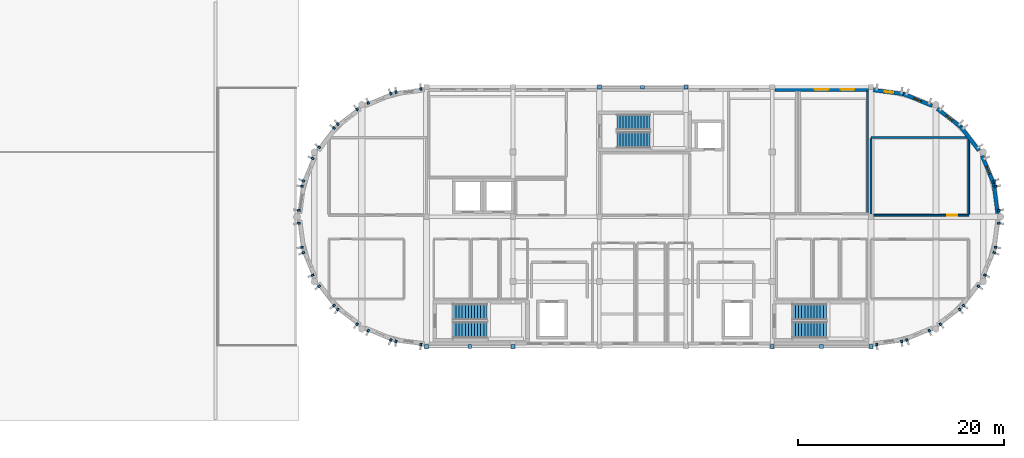
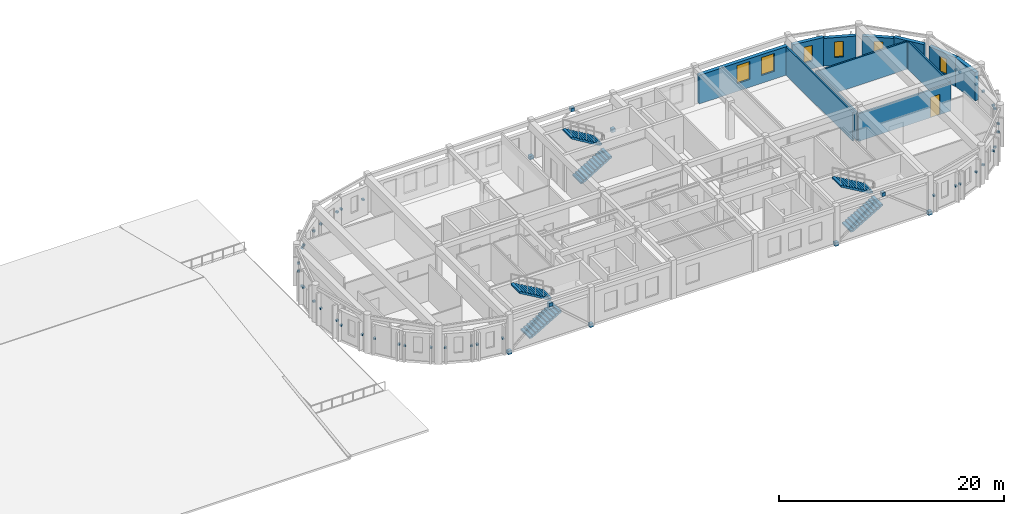
# One storey, part 7 of 12: 48 discrete accessories, 12 walls, 6 stair flights, 6 windows, 1 door, 7 openings, 3 elements without a shape of their own.
"""IFC4 building model written with IfcOpenShell, lengths in metres."""

import ifcopenshell
import ifcopenshell.guid

model = None  # the IFC model being written
_history = None  # IfcOwnerHistory: only IFC2X3 demands one
_inside = {}  # id of a spatial element -> (the spatial element, [elements in it])
_under = {}  # id of a project, library or spatial element -> (it, [spatial elements below it])
_declared = {}  # id of a project -> (the project, [libraries it declares])
_typed = {}  # id of a type object -> (the type object, [elements of that type])
_made_of = {}  # id of a material, layer set ... -> (it, [elements and type objects made of it])


def new_model(schema):
    """Start an empty IFC model of exactly this schema.

    Asked for "IFC4X3", IfcOpenShell would pick the latest addendum, in which some entities
    have other attributes; the version numbers below select the first issue.
    IFC2X3 requires an IfcOwnerHistory on every rooted entity: one is made here for all.
    """
    global model, _history
    if schema == "IFC4X3":
        model = ifcopenshell.file(schema_version=(4, 3, 0, 0))
    else:
        model = ifcopenshell.file(schema=schema)
    _inside.clear()
    _under.clear()
    _declared.clear()
    _typed.clear()
    _made_of.clear()
    _history = None
    if model.schema == "IFC2X3":
        org = make("IfcOrganization", Name="unknown")
        user = make(
            "IfcPersonAndOrganization",
            ThePerson=make("IfcPerson", FamilyName="unknown"),
            TheOrganization=org,
        )
        app = make(
            "IfcApplication",
            ApplicationDeveloper=org,
            Version="unknown",
            ApplicationFullName="unknown",
            ApplicationIdentifier="unknown",
        )
        _history = make(
            "IfcOwnerHistory",
            OwningUser=user,
            OwningApplication=app,
            ChangeAction="ADDED",
            CreationDate=0,
        )
    return model


def make(cls, **values):
    """One entity of the class cls with the attributes given. An attribute that is None is left unset."""
    return model.create_entity(
        cls, **{name: value for name, value in values.items() if value is not None}
    )


def rooted(cls, **values):
    """An entity with a GlobalId (a new one), such as an element, a storey or a relation."""
    return make(cls, GlobalId=ifcopenshell.guid.new(), OwnerHistory=_history, **values)


def si_unit(unit_type, name, prefix=None):
    """IfcSIUnit, for example si_unit("LENGTHUNIT", "METRE", prefix="MILLI")."""
    return make("IfcSIUnit", UnitType=unit_type, Prefix=prefix, Name=name)


def assignment(units):
    """IfcUnitAssignment: the units of a project."""
    return None if units is None else make("IfcUnitAssignment", Units=units)


def point(xyz):
    """IfcCartesianPoint."""
    return None if xyz is None else make("IfcCartesianPoint", Coordinates=xyz)


def direction(xyz):
    """IfcDirection."""
    return None if xyz is None else make("IfcDirection", DirectionRatios=xyz)


def frame(location, z_axis=None, x_axis=None):
    """IfcAxis2Placement3D, a coordinate frame: its origin and axes. An axis left out is left unset."""
    return make(
        "IfcAxis2Placement3D",
        Location=point(location),
        Axis=direction(z_axis),
        RefDirection=direction(x_axis),
    )


def frame_2d(location, x_axis=None):
    """IfcAxis2Placement2D, a coordinate frame in the plane: its origin and x axis."""
    return make(
        "IfcAxis2Placement2D", Location=point(location), RefDirection=direction(x_axis)
    )


def origin():
    """The frame at (0, 0, 0) with its axes left unset."""
    return frame((0.0, 0.0, 0.0))


def origin_2d():
    """The frame at (0, 0) in the plane with its x axis left unset."""
    return frame_2d((0.0, 0.0))


def place(relative_to, where):
    """IfcLocalPlacement: puts the frame where relative to a parent placement (None: the world)."""
    return make(
        "IfcLocalPlacement", PlacementRelTo=relative_to, RelativePlacement=where
    )


def context(
    kind, dimensions, precision=None, world=None, true_north=None, identifier=None
):
    """IfcGeometricRepresentationContext, for example the 3D "Model" context."""
    return make(
        "IfcGeometricRepresentationContext",
        ContextIdentifier=identifier,
        ContextType=kind,
        CoordinateSpaceDimension=dimensions,
        Precision=precision,
        WorldCoordinateSystem=world,
        TrueNorth=true_north,
    )


def subcontext(parent, identifier, kind, view, scale=None):
    """IfcGeometricRepresentationSubContext, for example "Body" below "Model"."""
    return make(
        "IfcGeometricRepresentationSubContext",
        ContextIdentifier=identifier,
        ContextType=kind,
        ParentContext=parent,
        TargetScale=scale,
        TargetView=view,
    )


def project(units=None, contexts=None):
    """IfcProject with its units and contexts."""
    return rooted(
        "IfcProject",
        Name="project",
        RepresentationContexts=contexts,
        UnitsInContext=assignment(units),
    )


def spatial(cls, under=None, at=None, **own):
    """A site, building, storey or space (cls), placed at a placement, below another one or the project."""
    s = rooted(cls, ObjectPlacement=at, **own)
    if under is not None:
        _under.setdefault(under.id(), (under, []))[1].append(s)
    return s


def polyline(points):
    """IfcPolyline through the points."""
    return make("IfcPolyline", Points=[point(p) for p in points])


def profile(cls, at=None, kind="AREA", **sizes):
    """A parametric profile (cls). Its sizes go by their IFC names, for example OverallWidth=200.0."""
    return make(cls, ProfileType=kind, Position=at, **sizes)


def rectangle(**sizes):
    """IfcRectangleProfileDef."""
    return profile("IfcRectangleProfileDef", **sizes)


def outline(outer, holes=None, kind="AREA"):
    """IfcArbitraryClosedProfileDef: a profile drawn as a closed curve; with holes, ...WithVoids."""
    if holes is None:
        return make("IfcArbitraryClosedProfileDef", ProfileType=kind, OuterCurve=outer)
    return make(
        "IfcArbitraryProfileDefWithVoids",
        ProfileType=kind,
        OuterCurve=outer,
        InnerCurves=holes,
    )


def extrude(swept, where, along, depth):
    """IfcExtrudedAreaSolid: the profile swept, set in the frame where, extruded along a direction by depth."""
    return make(
        "IfcExtrudedAreaSolid",
        SweptArea=swept,
        Position=where,
        ExtrudedDirection=direction(along),
        Depth=depth,
    )


def shape(context_of_items, identifier, shape_type, items):
    """IfcShapeRepresentation: the items that make up one representation, for example the "Body"."""
    return make(
        "IfcShapeRepresentation",
        ContextOfItems=context_of_items,
        RepresentationIdentifier=identifier,
        RepresentationType=shape_type,
        Items=items,
    )


def material(Name=None, Category=None):
    """IfcMaterial."""
    return make("IfcMaterial", Name=Name, Category=Category)


def layer(
    of_material, thickness, ventilated=None, Name=None, Category=None, Priority=None
):
    """IfcMaterialLayer: one layer of a wall or slab, of a material (None: an air gap)."""
    return make(
        "IfcMaterialLayer",
        Material=of_material,
        LayerThickness=thickness,
        IsVentilated=ventilated,
        Name=Name,
        Category=Category,
        Priority=Priority,
    )


def layer_set(layers, Name=None):
    """IfcMaterialLayerSet."""
    return make("IfcMaterialLayerSet", MaterialLayers=layers, LayerSetName=Name)


def made_of(thing, what):
    """Note that an element or type object is made of a material, layer set ...; save() writes the relation."""
    if what is not None:
        _made_of.setdefault(what.id(), (what, []))[1].append(thing)
    return thing


def type_object(cls, material=None, **own):
    """A type object (cls), such as IfcWallType, which elements share."""
    return made_of(rooted(cls, **own), material)


def element(
    cls,
    number,
    at=None,
    inside=None,
    cuts=None,
    type_object=None,
    material=None,
    context=None,
    identifier="Body",
    shape_type=None,
    held_by="IfcProductDefinitionShape",
    body=None,
    shapes=None,
    **own,
):
    """One element of the class cls, such as IfcWall. Its Tag is "e" and its number.

    at: its placement. inside: the storey or other place that contains it. cuts: it is an
    opening in that element (IfcRelVoidsElement). A single representation is given by context,
    identifier, shape_type and body (its items); several are given by shapes. held_by: the class
    of the entity that holds the representations. save() writes the other relations.
    """
    e = rooted(cls, Tag="e%d" % number, ObjectPlacement=at, **own)
    if body is not None:
        shapes = [shape(context, identifier, shape_type, body)]
    if shapes is not None:
        e.Representation = make(held_by, Representations=shapes)
    if inside is not None:
        _inside.setdefault(inside.id(), (inside, []))[1].append(e)
    if cuts is not None:
        rooted(
            "IfcRelVoidsElement", RelatingBuildingElement=cuts, RelatedOpeningElement=e
        )
    if type_object is not None:
        _typed.setdefault(type_object.id(), (type_object, []))[1].append(e)
    return made_of(e, material)


def fill(opening, filler):
    """IfcRelFillsElement: the door or window that sits in an opening."""
    return rooted(
        "IfcRelFillsElement",
        RelatingOpeningElement=opening,
        RelatedBuildingElement=filler,
    )


def aggregate(whole, parts):
    """IfcRelAggregates: a whole, such as a stair, and the parts it consists of."""
    return rooted("IfcRelAggregates", RelatingObject=whole, RelatedObjects=parts)


def save(model, path):
    """Write the relations noted so far, then the file.

    IfcRelAggregates (storeys below a building ...), IfcRelContainedInSpatialStructure (elements
    in a storey), IfcRelDefinesByType, IfcRelAssociatesMaterial and IfcRelDeclares: one each for
    every whole, place, type object, material and project.
    """
    for whole, parts in _under.values():
        aggregate(whole, parts)
    for where, things in _inside.values():
        rooted(
            "IfcRelContainedInSpatialStructure",
            RelatedElements=things,
            RelatingStructure=where,
        )
    for kind, things in _typed.values():
        rooted("IfcRelDefinesByType", RelatedObjects=things, RelatingType=kind)
    for what, things in _made_of.values():
        rooted("IfcRelAssociatesMaterial", RelatedObjects=things, RelatingMaterial=what)
    for by, libraries in _declared.values():
        rooted("IfcRelDeclares", RelatingContext=by, RelatedDefinitions=libraries)
    model.write(path)


model = new_model("IFC4")

# Units and contexts
model_context = context("Model", 3, precision=1e-05, world=origin(), true_north=direction((0.0, 1.0)))
body_context = subcontext(model_context, "Body", "Model", "MODEL_VIEW")
ifc_project = project(units=[si_unit("LENGTHUNIT", "METRE"), si_unit("AREAUNIT", "SQUARE_METRE"), si_unit("VOLUMEUNIT", "CUBIC_METRE"), si_unit("PLANEANGLEUNIT", "RADIAN"), si_unit("MASSUNIT", "GRAM", prefix="KILO")], contexts=[model_context])

# Site, building, storey
site_placement = place(None, origin())
site = spatial("IfcSite", under=ifc_project, at=site_placement, CompositionType="ELEMENT")
building_placement = place(site_placement, origin())
building = spatial("IfcBuilding", under=site, at=building_placement, Name="Tarnavel Promenade Courthouse", CompositionType="ELEMENT")
storey_placement = place(building_placement, frame((0.0, 0.0, 27.0)))
storey = spatial("IfcBuildingStorey", under=building, at=storey_placement, Name="L07", CompositionType="ELEMENT", Elevation=27.0)

# Walls
ifc_material_1 = material(Name="Acoustic Insulated Gypsum Stud Partition", Category="gypsum")
ifc_layer_1 = layer(ifc_material_1, 0.1650390625)
ifc_layer_set_1 = layer_set([ifc_layer_1], Name="Acoustic Insulated Gypsum Stud Partition")
wall_type_1 = type_object("IfcWallType", Name="Acoustic Insulated Gypsum Stud Partition WL-CHM-165 (165 mm)", PredefinedType="PARTITIONING", material=ifc_layer_set_1)
wall_1_placement = place(storey_placement, frame((101.659912109375, 103.99609375, 0.0), z_axis=(0.0, 0.0, 1.0), x_axis=(0.0, -1.0, 0.0)))
element("IfcWall", 1, at=wall_1_placement, inside=storey, type_object=wall_type_1, Name="L07 Appellate Judges' Chambers L07 Suite C Partition 0888", PredefinedType="PARTITIONING", context=body_context, shape_type="SweptSolid", body=[
    extrude(rectangle(XDim=11.8134765625, YDim=0.1650390625, at=frame_2d((5.90673828125, 0.0))), origin(), (0.0, 0.0, 1.0), 3.110107421875),
])
wall_2_placement = place(storey_placement, frame((102.0, 99.5, 0.0), z_axis=(0.0, 0.0, 1.0), x_axis=(1.0, 0.0, 0.0)))
element("IfcWall", 2, at=wall_2_placement, inside=storey, type_object=wall_type_1, Name="L07 L07 East Drum Rotunda Chambers North Partition 0906", PredefinedType="PARTITIONING", context=body_context, shape_type="SweptSolid", body=[
    extrude(rectangle(XDim=9.5, YDim=0.1650390625, at=frame_2d((4.75, 0.0))), origin(), (0.0, 0.0, 1.0), 3.010009765625),
])

# Wall, opening, door
wall_3_placement = place(storey_placement, frame((111.5, 91.949951171875, 0.0), z_axis=(0.0, 0.0, 1.0), x_axis=(-1.0, 0.0, 0.0)))
wall_3 = element("IfcWall", 3, at=wall_3_placement, inside=storey, type_object=wall_type_1, Name="L07 L07 East Drum Rotunda Chambers North Partition 0907", PredefinedType="PARTITIONING", context=body_context, shape_type="SweptSolid", body=[
    extrude(rectangle(XDim=9.5, YDim=0.1650390625, at=frame_2d((4.75, 0.0))), origin(), (0.0, 0.0, 1.0), 3.010009765625),
])
opening_1_placement = place(wall_3_placement, frame((1.132080078125, 0.0, 0.0)))
opening_1 = element("IfcOpeningElement", 4, at=opening_1_placement, cuts=wall_3, Name="Opening ID-04", PredefinedType="OPENING", context=body_context, shape_type="SweptSolid", body=[
    extrude(rectangle(XDim=0.97998046875, YDim=2.199951171875, at=frame_2d((0.489990234375, 1.10009765625))), frame((0.0, 0.092529296875, 0.0), z_axis=(0.0, -1.0, 0.0), x_axis=(1.0, 0.0, 0.0)), (0.0, 0.0, 1.0), 0.18505859375),
])
ifc_material_2 = material(Name="Solid Oak Judges Chambers Door")
door_type = type_object("IfcDoorType", Name="Solid Oak Judges Chambers Door (DR-CHM-0980x2200)", OperationType="NOTDEFINED", PredefinedType="DOOR", material=ifc_material_2)
door_placement = place(opening_1_placement, origin())
door = element("IfcDoor", 5, at=door_placement, inside=storey, type_object=door_type, Name="L07 L07 East Drum Rotunda Chambers North Door 0259", OperationType="SINGLE_SWING_RIGHT", OverallHeight=2.199951171875, OverallWidth=0.97998046875, PredefinedType="DOOR", context=body_context, shape_type="SweptSolid", body=[
    extrude(rectangle(XDim=0.97998046875, YDim=2.199951171875, at=frame_2d((0.489990234375, 1.10009765625))), frame((0.0, 0.02490234375, 0.0), z_axis=(0.0, -1.0, 0.0), x_axis=(1.0, 0.0, 0.0)), (0.0, 0.0, 1.0), 0.050048828125),
])
fill(opening_1, door)

# Walls
for number, where, z_axis, x_axis, name in (
    (6, (102.0, 92.04248046875, 0.0), (0.0, 0.0, 1.0), (0.0, 1.0, 0.0), "L07 L07 East Drum Rotunda Chambers North Partition 0908"),
    (7, (111.5, 99.407470703125, 0.0), (0.0, 0.0, 1.0), (0.0, -1.0, 0.0), "L07 L07 East Drum Rotunda Chambers North Partition 0909"),
):
    element("IfcWall", number, at=place(storey_placement, frame(where, z_axis=z_axis, x_axis=x_axis)), inside=storey, type_object=wall_type_1, Name=name, PredefinedType="PARTITIONING", context=body_context, shape_type="SweptSolid", body=[
        extrude(rectangle(XDim=7.364990234375, YDim=0.1650390625, at=frame_2d((3.6826171875, 0.0))), origin(), (0.0, 0.0, 1.0), 3.110107421875),
    ])

# Wall, openings, windows
ifc_material_3 = material(Name="Cream Brick Insulated Cavity Facade Assembly", Category="masonry")
ifc_layer_2 = layer(ifc_material_3, 0.3798828125)
ifc_layer_set_2 = layer_set([ifc_layer_2], Name="Cream Brick Insulated Cavity Facade Assembly")
wall_type_2 = type_object("IfcWallType", Name="Cream Brick Insulated Cavity Facade Assembly WL-EXT-380 (380 mm)", PredefinedType="STANDARD", material=ifc_layer_set_2)
wall_4_placement = place(storey_placement, frame((92.64208984375, 104.179931640625, 0.0), z_axis=(0.0, 0.0, 1.0), x_axis=(1.0, 0.0, 0.0)))
wall_4 = element("IfcWall", 8, at=wall_4_placement, inside=storey, type_object=wall_type_2, Name="L07 Bar North Limestone Facade 0174", PredefinedType="STANDARD", context=body_context, shape_type="SweptSolid", body=[
    extrude(rectangle(XDim=9.115966796875, YDim=0.3798828125, at=frame_2d((4.55810546875, 0.0))), origin(), (0.0, 0.0, 1.0), 3.110107421875),
])
opening_2_placement = place(wall_4_placement, frame((3.883056640625, 0.0, 0.85009765625)))
opening_2 = element("IfcOpeningElement", 9, at=opening_2_placement, cuts=wall_4, Name="Opening W-04", PredefinedType="OPENING", context=body_context, shape_type="SweptSolid", body=[
    extrude(rectangle(XDim=1.35009765625, YDim=1.949951171875, at=frame_2d((0.675048828125, 0.97509765625))), frame((0.0, 0.199951171875, 0.0), z_axis=(0.0, -1.0, 0.0), x_axis=(1.0, 0.0, 0.0)), (0.0, 0.0, 1.0), 0.39990234375),
])
opening_3_placement = place(wall_4_placement, frame((6.396240234375, 0.0, 0.85009765625)))
opening_3 = element("IfcOpeningElement", 10, at=opening_3_placement, cuts=wall_4, Name="Opening W-04", PredefinedType="OPENING", context=body_context, shape_type="SweptSolid", body=[
    extrude(rectangle(XDim=1.35009765625, YDim=1.949951171875, at=frame_2d((0.675048828125, 0.97509765625))), frame((0.0, 0.199951171875, 0.0), z_axis=(0.0, -1.0, 0.0), x_axis=(1.0, 0.0, 0.0)), (0.0, 0.0, 1.0), 0.39990234375),
])
ifc_material_4 = material(Name="Triple Low-E Glazed Bronze-Clad Window Assembly")
window_type_1 = type_object("IfcWindowType", Name="Triple-Glazed Bronze-Clad Timber-Aluminium WIN-CHM-1350x1950", PartitioningType="SINGLE_PANEL", PredefinedType="WINDOW", material=ifc_material_4)
window_1_placement = place(opening_2_placement, origin())
window_1 = element("IfcWindow", 11, at=window_1_placement, inside=storey, type_object=window_type_1, Name="L07 Exterior Window 0141", OverallHeight=1.949951171875, OverallWidth=1.35009765625, PartitioningType="SINGLE_PANEL", PredefinedType="WINDOW", context=body_context, shape_type="SweptSolid", body=[
    extrude(rectangle(XDim=1.35009765625, YDim=1.949951171875, at=frame_2d((0.675048828125, 0.97509765625))), frame((0.0, 0.030029296875, 0.0), z_axis=(0.0, -1.0, 0.0), x_axis=(1.0, 0.0, 0.0)), (0.0, 0.0, 1.0), 0.06005859375),
])
fill(opening_2, window_1)
window_2_placement = place(opening_3_placement, origin())
window_2 = element("IfcWindow", 12, at=window_2_placement, inside=storey, type_object=window_type_1, Name="L07 Exterior Window 0142", OverallHeight=1.949951171875, OverallWidth=1.35009765625, PartitioningType="SINGLE_PANEL", PredefinedType="WINDOW", context=body_context, shape_type="SweptSolid", body=[
    extrude(rectangle(XDim=1.35009765625, YDim=1.949951171875, at=frame_2d((0.675048828125, 0.97509765625))), frame((0.0, 0.030029296875, 0.0), z_axis=(0.0, -1.0, 0.0), x_axis=(1.0, 0.0, 0.0)), (0.0, 0.0, 1.0), 0.06005859375),
])
fill(opening_3, window_2)

# Wall
ifc_material_5 = material(Name="Patinated Copper-Bronze Insulated Drum Wall Assembly", Category="masonry")
ifc_layer_3 = layer(ifc_material_5, 0.364990234375)
ifc_layer_set_3 = layer_set([ifc_layer_3], Name="Patinated Copper-Bronze Insulated Drum Wall Assembly")
wall_type_3 = type_object("IfcWallType", Name="Patinated Copper-Bronze Insulated Drum Wall Assembly WL-DRUM-365 (365 mm)", PredefinedType="ELEMENTEDWALL", material=ifc_layer_set_3)
wall_5_placement = place(storey_placement, frame((114.304443359375, 92.129150390625, 0.0), z_axis=(0.0, 0.0, 1.0), x_axis=(-0.130484746162, 0.99145031697, 0.0)))
element("IfcWall", 13, at=wall_5_placement, inside=storey, type_object=wall_type_3, Name="L07 E Copper Drum Chord Wall 07 0198", PredefinedType="ELEMENTEDWALL", context=body_context, shape_type="SweptSolid", body=[
    extrude(rectangle(XDim=2.92431640625, YDim=0.364990234375, at=frame_2d((1.462158203125, 0.0))), origin(), (0.0, 0.0, 1.0), 3.110107421875),
])

# Wall, opening, window
wall_6_placement = place(storey_placement, frame((113.939697265625, 94.965576171875, 0.0), z_axis=(0.0, 0.0, 1.0), x_axis=(-0.382700732442, 0.923872366395, 0.0)))
wall_6 = element("IfcWall", 14, at=wall_6_placement, inside=storey, type_object=wall_type_3, Name="L07 E Copper Drum Chord Wall 08 0199", PredefinedType="ELEMENTEDWALL", context=body_context, shape_type="SweptSolid", body=[
    extrude(rectangle(XDim=3.00732421875, YDim=0.364990234375, at=frame_2d((1.503662109375, 0.0))), origin(), (0.0, 0.0, 1.0), 3.110107421875),
])
opening_4_placement = place(wall_6_placement, frame((1.06201171875, 0.0, 0.85009765625)))
opening_4 = element("IfcOpeningElement", 15, at=opening_4_placement, cuts=wall_6, Name="Opening W-09", PredefinedType="OPENING", context=body_context, shape_type="SweptSolid", body=[
    extrude(rectangle(XDim=0.800048828125, YDim=1.699951171875, at=frame_2d((0.39990234375, 0.85009765625))), frame((0.0, 0.1923828125, 0.0), z_axis=(0.0, -1.0, 0.0), x_axis=(1.0, 0.0, 0.0)), (0.0, 0.0, 1.0), 0.385009765625),
])
window_type_2 = type_object("IfcWindowType", Name="Triple-Glazed Bronze-Clad Timber-Aluminium WIN-DRM-0800x1700", PartitioningType="SINGLE_PANEL", PredefinedType="WINDOW", material=ifc_material_4)
window_3_placement = place(opening_4_placement, origin())
window_3 = element("IfcWindow", 16, at=window_3_placement, inside=storey, type_object=window_type_2, Name="L07 Exterior Window 0162", OverallHeight=1.699951171875, OverallWidth=0.800048828125, PartitioningType="SINGLE_PANEL", PredefinedType="WINDOW", context=body_context, shape_type="SweptSolid", body=[
    extrude(rectangle(XDim=0.800048828125, YDim=1.699951171875, at=frame_2d((0.39990234375, 0.85009765625))), frame((0.0, 0.030029296875, 0.0), z_axis=(0.0, -1.0, 0.0), x_axis=(1.0, 0.0, 0.0)), (0.0, 0.0, 1.0), 0.06005859375),
])
fill(opening_4, window_3)

# Wall
wall_7_placement = place(storey_placement, frame((112.491455078125, 98.2373046875, 0.0), z_axis=(0.0, 0.0, 1.0), x_axis=(-0.60876624393, 0.793349645649, 0.0)))
element("IfcWall", 17, at=wall_7_placement, inside=storey, type_object=wall_type_3, Name="L07 E Copper Drum Chord Wall 09 0200", PredefinedType="ELEMENTEDWALL", context=body_context, shape_type="SweptSolid", body=[
    extrude(rectangle(XDim=2.92431640625, YDim=0.364990234375, at=frame_2d((1.462158203125, 0.0))), origin(), (0.0, 0.0, 1.0), 3.110107421875),
])

# Wall, opening, window
wall_8_placement = place(storey_placement, frame((110.75732421875, 100.51123046875, 0.0), z_axis=(0.0, 0.0, 1.0), x_axis=(-0.793318703663, 0.608806565682, 0.0)))
wall_8 = element("IfcWall", 18, at=wall_8_placement, inside=storey, type_object=wall_type_3, Name="L07 E Copper Drum Chord Wall 10 0201", PredefinedType="ELEMENTEDWALL", context=body_context, shape_type="SweptSolid", body=[
    extrude(rectangle(XDim=2.92431640625, YDim=0.364990234375, at=frame_2d((1.462158203125, 0.0))), origin(), (0.0, 0.0, 1.0), 3.010009765625),
])
opening_5_placement = place(wall_8_placement, frame((1.06201171875, 0.0, 0.85009765625)))
opening_5 = element("IfcOpeningElement", 19, at=opening_5_placement, cuts=wall_8, Name="Opening W-09", PredefinedType="OPENING", context=body_context, shape_type="SweptSolid", body=[
    extrude(rectangle(XDim=0.800048828125, YDim=1.699951171875, at=frame_2d((0.39990234375, 0.85009765625))), frame((0.0, 0.1923828125, 0.0), z_axis=(0.0, -1.0, 0.0), x_axis=(1.0, 0.0, 0.0)), (0.0, 0.0, 1.0), 0.385009765625),
])
window_4_placement = place(opening_5_placement, origin())
window_4 = element("IfcWindow", 20, at=window_4_placement, inside=storey, type_object=window_type_2, Name="L07 Exterior Window 0163", OverallHeight=1.699951171875, OverallWidth=0.800048828125, PartitioningType="SINGLE_PANEL", PredefinedType="WINDOW", context=body_context, shape_type="SweptSolid", body=[
    extrude(rectangle(XDim=0.800048828125, YDim=1.699951171875, at=frame_2d((0.39990234375, 0.85009765625))), frame((0.0, 0.030029296875, 0.0), z_axis=(0.0, -1.0, 0.0), x_axis=(1.0, 0.0, 0.0)), (0.0, 0.0, 1.0), 0.06005859375),
])
fill(opening_5, window_4)

wall_9_placement = place(storey_placement, frame((107.94384765625, 102.5888671875, 0.0), z_axis=(0.0, 0.0, 1.0), x_axis=(-0.923872366395, 0.382700732442, 0.0)))
wall_9 = element("IfcWall", 21, at=wall_9_placement, inside=storey, type_object=wall_type_3, Name="L07 E Copper Drum Chord Wall 11 0202", PredefinedType="ELEMENTEDWALL", context=body_context, shape_type="SweptSolid", body=[
    extrude(rectangle(XDim=3.00732421875, YDim=0.364990234375, at=frame_2d((1.503662109375, 0.0))), origin(), (0.0, 0.0, 1.0), 3.010009765625),
])
opening_6_placement = place(wall_9_placement, frame((1.14501953125, 0.0, 0.85009765625)))
opening_6 = element("IfcOpeningElement", 22, at=opening_6_placement, cuts=wall_9, Name="Opening W-09", PredefinedType="OPENING", context=body_context, shape_type="SweptSolid", body=[
    extrude(rectangle(XDim=0.800048828125, YDim=1.699951171875, at=frame_2d((0.39990234375, 0.85009765625))), frame((0.0, 0.1923828125, 0.0), z_axis=(0.0, -1.0, 0.0), x_axis=(1.0, 0.0, 0.0)), (0.0, 0.0, 1.0), 0.385009765625),
])
window_5_placement = place(opening_6_placement, origin())
window_5 = element("IfcWindow", 23, at=window_5_placement, inside=storey, type_object=window_type_2, Name="L07 Exterior Window 0164", OverallHeight=1.699951171875, OverallWidth=0.800048828125, PartitioningType="SINGLE_PANEL", PredefinedType="WINDOW", context=body_context, shape_type="SweptSolid", body=[
    extrude(rectangle(XDim=0.800048828125, YDim=1.699951171875, at=frame_2d((0.39990234375, 0.85009765625))), frame((0.0, 0.030029296875, 0.0), z_axis=(0.0, -1.0, 0.0), x_axis=(1.0, 0.0, 0.0)), (0.0, 0.0, 1.0), 0.06005859375),
])
fill(opening_6, window_5)

wall_10_placement = place(storey_placement, frame((105.228515625, 103.722900390625, 0.0), z_axis=(0.0, 0.0, 1.0), x_axis=(-0.991450452257, 0.130483718216, 0.0)))
wall_10 = element("IfcWall", 24, at=wall_10_placement, inside=storey, type_object=wall_type_3, Name="L07 E Copper Drum Chord Wall 12 0203", PredefinedType="ELEMENTEDWALL", context=body_context, shape_type="SweptSolid", body=[
    extrude(rectangle(XDim=3.02734375, YDim=0.364990234375, at=frame_2d((1.513671875, 0.0))), origin(), (0.0, 0.0, 1.0), 3.110107421875),
])
opening_7_placement = place(wall_10_placement, frame((1.099609375, 0.0, 0.85009765625)))
opening_7 = element("IfcOpeningElement", 25, at=opening_7_placement, cuts=wall_10, Name="Opening W-09", PredefinedType="OPENING", context=body_context, shape_type="SweptSolid", body=[
    extrude(rectangle(XDim=0.800048828125, YDim=1.699951171875, at=frame_2d((0.39990234375, 0.85009765625))), frame((0.0, 0.1923828125, 0.0), z_axis=(0.0, -1.0, 0.0), x_axis=(1.0, 0.0, 0.0)), (0.0, 0.0, 1.0), 0.385009765625),
])
window_6_placement = place(opening_7_placement, origin())
window_6 = element("IfcWindow", 26, at=window_6_placement, inside=storey, type_object=window_type_2, Name="L07 Exterior Window 0165", OverallHeight=1.699951171875, OverallWidth=0.800048828125, PartitioningType="SINGLE_PANEL", PredefinedType="WINDOW", context=body_context, shape_type="SweptSolid", body=[
    extrude(rectangle(XDim=0.800048828125, YDim=1.699951171875, at=frame_2d((0.39990234375, 0.85009765625))), frame((0.0, 0.030029296875, 0.0), z_axis=(0.0, -1.0, 0.0), x_axis=(1.0, 0.0, 0.0)), (0.0, 0.0, 1.0), 0.06005859375),
])
fill(opening_7, window_6)

# Stair, stair flights
ifc_material_6 = material(Name="Concrete C35/45", Category="concrete")
stair_type_1 = type_object("IfcStairType", Name="Concrete C35/45 Half-Turn Stair STR-03 (1560W-300G-24R)", PredefinedType="HALF_TURN_STAIR", material=ifc_material_6)
stair_1_placement = place(storey_placement, origin())
stair_1 = element("IfcStair", 27, at=stair_1_placement, inside=storey, type_object=stair_type_1, Name="L07 West Bar Firefighting Exit Stair", PredefinedType="HALF_TURN_STAIR")
stair_flight_type_1 = type_object("IfcStairFlightType", Name="Concrete C35/45 Stair Flight STF-03 (1560W-300G-24R)", PredefinedType="STRAIGHT", material=ifc_material_6)
stair_flight_1_placement = place(storey_placement, frame((61.360107421875, 80.780029296875, 0.0), z_axis=(0.0, 0.0, 1.0), x_axis=(1.0, 0.0, 0.0)))
stair_flight_1 = element("IfcStairFlight", 28, at=stair_flight_1_placement, type_object=stair_flight_type_1, Name="ST-01 flight 1", NumberOfRisers=12, NumberOfTreads=11, PredefinedType="STRAIGHT", RiserHeight=0.175, TreadLength=0.3, context=body_context, shape_type="SweptSolid", body=[
    extrude(outline(polyline([(0.0, 0.0), (0.0, 0.175048828125), (0.300048828125, 0.175048828125), (0.300048828125, 0.35009765625), (0.60009765625, 0.35009765625), (0.60009765625, 0.52490234375), (0.89990234375, 0.52490234375), (0.89990234375, 0.699951171875), (1.199951171875, 0.699951171875), (1.199951171875, 0.875), (1.5, 0.875), (1.5, 1.050048828125), (1.800048828125, 1.050048828125), (1.800048828125, 1.22509765625), (2.10009765625, 1.22509765625), (2.10009765625, 1.39990234375), (2.39990234375, 1.39990234375), (2.39990234375, 1.574951171875), (2.699951171875, 1.574951171875), (2.699951171875, 1.75), (3.0, 1.75), (3.0, 1.925048828125), (3.300048828125, 1.925048828125), (3.300048828125, 2.10009765625), (3.300048828125, 1.75146484375), (0.297607421875, 0.0), (0.0, 0.0)])), frame((0.0, 0.780029296875, 0.0), z_axis=(0.0, -1.0, 0.0), x_axis=(1.0, 0.0, 0.0)), (0.0, 0.0, 1.0), 1.56005859375),
])
stair_flight_2_placement = place(storey_placement, frame((64.659912109375, 82.5400390625, 2.10009765625), z_axis=(0.0, 0.0, 1.0), x_axis=(-1.0, 0.0, 0.0)))
stair_flight_2 = element("IfcStairFlight", 29, at=stair_flight_2_placement, type_object=stair_flight_type_1, Name="ST-01 flight 2", NumberOfRisers=12, NumberOfTreads=11, PredefinedType="STRAIGHT", RiserHeight=0.175, TreadLength=0.3, context=body_context, shape_type="SweptSolid", body=[
    extrude(outline(polyline([(0.0, 0.0), (0.0, 0.175048828125), (0.300048828125, 0.175048828125), (0.300048828125, 0.35009765625), (0.60009765625, 0.35009765625), (0.60009765625, 0.52490234375), (0.89990234375, 0.52490234375), (0.89990234375, 0.699951171875), (1.199951171875, 0.699951171875), (1.199951171875, 0.875), (1.5, 0.875), (1.5, 1.050048828125), (1.800048828125, 1.050048828125), (1.800048828125, 1.22509765625), (2.10009765625, 1.22509765625), (2.10009765625, 1.39990234375), (2.39990234375, 1.39990234375), (2.39990234375, 1.574951171875), (2.699951171875, 1.574951171875), (2.699951171875, 1.75), (3.0, 1.75), (3.0, 1.925048828125), (3.300048828125, 1.925048828125), (3.300048828125, 2.10009765625), (3.300048828125, 1.75146484375), (0.297607421875, 0.0), (0.0, 0.0)])), frame((0.0, 0.780029296875, 0.0), z_axis=(0.0, -1.0, 0.0), x_axis=(1.0, 0.0, 0.0)), (0.0, 0.0, 1.0), 1.56005859375),
])
aggregate(stair_1, [stair_flight_1, stair_flight_2])

stair_2_placement = place(storey_placement, origin())
stair_2 = element("IfcStair", 30, at=stair_2_placement, inside=storey, type_object=stair_type_1, Name="L07 East Bar Firefighting Exit Stair", PredefinedType="HALF_TURN_STAIR")
stair_flight_3_placement = place(storey_placement, frame((94.360107421875, 80.780029296875, 0.0), z_axis=(0.0, 0.0, 1.0), x_axis=(1.0, 0.0, 0.0)))
stair_flight_3 = element("IfcStairFlight", 31, at=stair_flight_3_placement, type_object=stair_flight_type_1, Name="ST-02 flight 1", NumberOfRisers=12, NumberOfTreads=11, PredefinedType="STRAIGHT", RiserHeight=0.175, TreadLength=0.3, context=body_context, shape_type="SweptSolid", body=[
    extrude(outline(polyline([(0.0, 0.0), (0.0, 0.175048828125), (0.300048828125, 0.175048828125), (0.300048828125, 0.35009765625), (0.60009765625, 0.35009765625), (0.60009765625, 0.52490234375), (0.89990234375, 0.52490234375), (0.89990234375, 0.699951171875), (1.199951171875, 0.699951171875), (1.199951171875, 0.875), (1.5, 0.875), (1.5, 1.050048828125), (1.800048828125, 1.050048828125), (1.800048828125, 1.22509765625), (2.10009765625, 1.22509765625), (2.10009765625, 1.39990234375), (2.39990234375, 1.39990234375), (2.39990234375, 1.574951171875), (2.699951171875, 1.574951171875), (2.699951171875, 1.75), (3.0, 1.75), (3.0, 1.925048828125), (3.300048828125, 1.925048828125), (3.300048828125, 2.10009765625), (3.300048828125, 1.75146484375), (0.297607421875, 0.0), (0.0, 0.0)])), frame((0.0, 0.780029296875, 0.0), z_axis=(0.0, -1.0, 0.0), x_axis=(1.0, 0.0, 0.0)), (0.0, 0.0, 1.0), 1.56005859375),
])
stair_flight_4_placement = place(storey_placement, frame((97.659912109375, 82.5400390625, 2.10009765625), z_axis=(0.0, 0.0, 1.0), x_axis=(-1.0, 0.0, 0.0)))
stair_flight_4 = element("IfcStairFlight", 32, at=stair_flight_4_placement, type_object=stair_flight_type_1, Name="ST-02 flight 2", NumberOfRisers=12, NumberOfTreads=11, PredefinedType="STRAIGHT", RiserHeight=0.175, TreadLength=0.3, context=body_context, shape_type="SweptSolid", body=[
    extrude(outline(polyline([(0.0, 0.0), (0.0, 0.175048828125), (0.300048828125, 0.175048828125), (0.300048828125, 0.35009765625), (0.60009765625, 0.35009765625), (0.60009765625, 0.52490234375), (0.89990234375, 0.52490234375), (0.89990234375, 0.699951171875), (1.199951171875, 0.699951171875), (1.199951171875, 0.875), (1.5, 0.875), (1.5, 1.050048828125), (1.800048828125, 1.050048828125), (1.800048828125, 1.22509765625), (2.10009765625, 1.22509765625), (2.10009765625, 1.39990234375), (2.39990234375, 1.39990234375), (2.39990234375, 1.574951171875), (2.699951171875, 1.574951171875), (2.699951171875, 1.75), (3.0, 1.75), (3.0, 1.925048828125), (3.300048828125, 1.925048828125), (3.300048828125, 2.10009765625), (3.300048828125, 1.75146484375), (0.297607421875, 0.0), (0.0, 0.0)])), frame((0.0, 0.780029296875, 0.0), z_axis=(0.0, -1.0, 0.0), x_axis=(1.0, 0.0, 0.0)), (0.0, 0.0, 1.0), 1.56005859375),
])
aggregate(stair_2, [stair_flight_3, stair_flight_4])

stair_type_2 = type_object("IfcStairType", Name="Concrete C35/45 Half-Turn Stair STR-06 (1520W-290G-24R)", PredefinedType="HALF_TURN_STAIR", material=ifc_material_6)
stair_3_placement = place(storey_placement, origin())
stair_3 = element("IfcStair", 33, at=stair_3_placement, inside=storey, type_object=stair_type_2, Name="L07 Central Judicial Chambers Exit Stair", PredefinedType="HALF_TURN_STAIR")
stair_flight_type_2 = type_object("IfcStairFlightType", Name="Concrete C35/45 Stair Flight STF-06 (1520W-290G-24R)", PredefinedType="STRAIGHT", material=ifc_material_6)
stair_flight_5_placement = place(storey_placement, frame((77.320068359375, 99.260009765625, 0.0), z_axis=(0.0, 0.0, 1.0), x_axis=(1.0, 0.0, 0.0)))
stair_flight_5 = element("IfcStairFlight", 34, at=stair_flight_5_placement, type_object=stair_flight_type_2, Name="ST-03 flight 1", NumberOfRisers=12, NumberOfTreads=11, PredefinedType="STRAIGHT", RiserHeight=0.175, TreadLength=0.29, context=body_context, shape_type="SweptSolid", body=[
    extrude(outline(polyline([(0.0, 0.0), (0.0, 0.175048828125), (0.2900390625, 0.175048828125), (0.2900390625, 0.35009765625), (0.580078125, 0.35009765625), (0.580078125, 0.52490234375), (0.8701171875, 0.52490234375), (0.8701171875, 0.699951171875), (1.159912109375, 0.699951171875), (1.159912109375, 0.875), (1.449951171875, 0.875), (1.449951171875, 1.050048828125), (1.739990234375, 1.050048828125), (1.739990234375, 1.22509765625), (2.030029296875, 1.22509765625), (2.030029296875, 1.39990234375), (2.320068359375, 1.39990234375), (2.320068359375, 1.574951171875), (2.610107421875, 1.574951171875), (2.610107421875, 1.75), (2.89990234375, 1.75), (2.89990234375, 1.925048828125), (3.18994140625, 1.925048828125), (3.18994140625, 2.10009765625), (3.18994140625, 1.75), (0.2900390625, 0.0), (0.0, 0.0)])), frame((0.0, 0.760009765625, 0.0), z_axis=(0.0, -1.0, 0.0), x_axis=(1.0, 0.0, 0.0)), (0.0, 0.0, 1.0), 1.52001953125),
])
stair_flight_6_placement = place(storey_placement, frame((80.510009765625, 100.97998046875, 2.10009765625), z_axis=(0.0, 0.0, 1.0), x_axis=(-1.0, 0.0, 0.0)))
stair_flight_6 = element("IfcStairFlight", 35, at=stair_flight_6_placement, type_object=stair_flight_type_2, Name="ST-03 flight 2", NumberOfRisers=12, NumberOfTreads=11, PredefinedType="STRAIGHT", RiserHeight=0.175, TreadLength=0.29, context=body_context, shape_type="SweptSolid", body=[
    extrude(outline(polyline([(0.0, 0.0), (0.0, 0.175048828125), (0.2900390625, 0.175048828125), (0.2900390625, 0.35009765625), (0.580078125, 0.35009765625), (0.580078125, 0.52490234375), (0.8701171875, 0.52490234375), (0.8701171875, 0.699951171875), (1.159912109375, 0.699951171875), (1.159912109375, 0.875), (1.449951171875, 0.875), (1.449951171875, 1.050048828125), (1.739990234375, 1.050048828125), (1.739990234375, 1.22509765625), (2.030029296875, 1.22509765625), (2.030029296875, 1.39990234375), (2.320068359375, 1.39990234375), (2.320068359375, 1.574951171875), (2.610107421875, 1.574951171875), (2.610107421875, 1.75), (2.89990234375, 1.75), (2.89990234375, 1.925048828125), (3.18994140625, 1.925048828125), (3.18994140625, 2.10009765625), (3.18994140625, 1.75), (0.2900390625, 0.0), (0.0, 0.0)])), frame((0.0, 0.760009765625, 0.0), z_axis=(0.0, -1.0, 0.0), x_axis=(1.0, 0.0, 0.0)), (0.0, 0.0, 1.0), 1.52001953125),
])
aggregate(stair_3, [stair_flight_5, stair_flight_6])

# Discrete accessories
ifc_material_7 = material(Name="Steel S355J2", Category="steel")
discrete_accessory_type_1 = type_object("IfcDiscreteAccessoryType", Name="Steel S355J2 Facade Pier Anchor Bracket", PredefinedType="BRACKET", material=ifc_material_7)
for number, where, z_axis, x_axis, name in (
    (36, (58.247802734375, 104.2265625, 1.46484375), (0.0, 0.0, 1.0), (-0.991444861374, -0.13052619222, 0.0), "L07 Drum Pier Bracket 0223"),
    (37, (55.82958984375, 103.908203125, 1.46484375), (0.0, 0.0, 1.0), (-0.991444861374, -0.13052619222, 0.0), "L07 Drum Pier Bracket 0224"),
    (38, (55.318603515625, 103.77099609375, 1.4150390625), (0.0, 0.0, 1.0), (-0.923879532511, -0.382683432365, 0.0), "L07 Drum Pier Bracket 0225"),
    (39, (53.13427734375, 102.866455078125, 1.4150390625), (0.0, 0.0, 1.0), (-0.923879532511, -0.382683432365, 0.0), "L07 Drum Pier Bracket 0226"),
    (40, (52.04931640625, 102.239990234375, 1.4150390625), (0.0, 0.0, 1.0), (-0.793353340291, -0.608761429009, 0.0), "L07 Drum Pier Bracket 0227"),
    (41, (50.173583984375, 100.80078125, 1.4150390625), (0.0, 0.0, 1.0), (-0.793353340291, -0.608761429009, 0.0), "L07 Drum Pier Bracket 0228"),
    (42, (49.79931640625, 100.426513671875, 1.46484375), (0.0, 0.0, 1.0), (-0.608761429009, -0.793353340291, 0.0), "L07 Drum Pier Bracket 0229"),
    (43, (48.360107421875, 98.55078125, 1.46484375), (0.0, 0.0, 1.0), (-0.608761429009, -0.793353340291, 0.0), "L07 Drum Pier Bracket 0230"),
    (44, (47.733642578125, 97.4658203125, 1.46484375), (0.0, 0.0, 1.0), (-0.382683432365, -0.923879532511, 0.0), "L07 Drum Pier Bracket 0231"),
    (45, (46.828857421875, 95.281494140625, 1.46484375), (0.0, 0.0, 1.0), (-0.382683432365, -0.923879532511, 0.0), "L07 Drum Pier Bracket 0232"),
    (46, (46.69189453125, 94.7705078125, 1.71484375), (0.0, 0.0, 1.0), (-0.13052619222, -0.991444861374, 0.0), "L07 Drum Pier Bracket 0233"),
    (47, (46.38330078125, 92.426513671875, 1.71484375), (0.0, 0.0, 1.0), (-0.13052619222, -0.991444861374, 0.0), "L07 Drum Pier Bracket 0234"),
    (48, (46.38330078125, 91.173583984375, 1.71484375), (0.0, 0.0, 1.0), (0.13052619222, -0.991444861374, 0.0), "L07 Drum Pier Bracket 0235"),
    (49, (46.69189453125, 88.82958984375, 1.71484375), (0.0, 0.0, 1.0), (0.13052619222, -0.991444861374, 0.0), "L07 Drum Pier Bracket 0236"),
    (50, (46.828857421875, 88.318603515625, 1.46484375), (0.0, 0.0, 1.0), (0.382683432365, -0.923879532511, 0.0), "L07 Drum Pier Bracket 0237"),
    (51, (47.733642578125, 86.13427734375, 1.46484375), (0.0, 0.0, 1.0), (0.382683432365, -0.923879532511, 0.0), "L07 Drum Pier Bracket 0238"),
    (52, (48.360107421875, 85.04931640625, 1.46484375), (0.0, 0.0, 1.0), (0.608761429009, -0.793353340291, 0.0), "L07 Drum Pier Bracket 0239"),
    (53, (49.79931640625, 83.173583984375, 1.46484375), (0.0, 0.0, 1.0), (0.608761429009, -0.793353340291, 0.0), "L07 Drum Pier Bracket 0240"),
    (54, (50.173583984375, 82.79931640625, 1.4150390625), (0.0, 0.0, 1.0), (0.793353340291, -0.608761429009, 0.0), "L07 Drum Pier Bracket 0241"),
    (55, (52.04931640625, 81.360107421875, 1.4150390625), (0.0, 0.0, 1.0), (0.793353340291, -0.608761429009, 0.0), "L07 Drum Pier Bracket 0242"),
    (56, (53.13427734375, 80.733642578125, 1.4150390625), (0.0, 0.0, 1.0), (0.923879532511, -0.382683432365, 0.0), "L07 Drum Pier Bracket 0243"),
    (57, (55.318603515625, 79.828857421875, 1.4150390625), (0.0, 0.0, 1.0), (0.923879532511, -0.382683432365, 0.0), "L07 Drum Pier Bracket 0244"),
    (58, (55.82958984375, 79.69189453125, 1.46484375), (0.0, 0.0, 1.0), (0.991444861374, -0.13052619222, 0.0), "L07 Drum Pier Bracket 0245"),
    (59, (58.247802734375, 79.37353515625, 1.46484375), (0.0, 0.0, 1.0), (0.991444861374, -0.13052619222, 0.0), "L07 Drum Pier Bracket 0246"),
    (60, (102.552001953125, 79.37353515625, 1.46484375), (0.0, 0.0, 1.0), (0.991444861374, 0.13052619222, 0.0), "L07 Drum Pier Bracket 0247"),
    (61, (104.970458984375, 79.69189453125, 1.46484375), (0.0, 0.0, 1.0), (0.991444861374, 0.13052619222, 0.0), "L07 Drum Pier Bracket 0248"),
    (62, (105.4814453125, 79.828857421875, 1.4150390625), (0.0, 0.0, 1.0), (0.923879532511, 0.382683432365, 0.0), "L07 Drum Pier Bracket 0249"),
    (63, (107.665771484375, 80.733642578125, 1.4150390625), (0.0, 0.0, 1.0), (0.923879532511, 0.382683432365, 0.0), "L07 Drum Pier Bracket 0250"),
    (64, (108.750732421875, 81.360107421875, 1.4150390625), (0.0, 0.0, 1.0), (0.793353340291, 0.608761429009, 0.0), "L07 Drum Pier Bracket 0251"),
    (65, (110.62646484375, 82.79931640625, 1.4150390625), (0.0, 0.0, 1.0), (0.793353340291, 0.608761429009, 0.0), "L07 Drum Pier Bracket 0252"),
    (66, (111.000732421875, 83.173583984375, 1.46484375), (0.0, 0.0, 1.0), (0.608761429009, 0.793353340291, 0.0), "L07 Drum Pier Bracket 0253"),
    (67, (112.43994140625, 85.04931640625, 1.46484375), (0.0, 0.0, 1.0), (0.608761429009, 0.793353340291, 0.0), "L07 Drum Pier Bracket 0254"),
    (68, (113.06640625, 86.13427734375, 1.46484375), (0.0, 0.0, 1.0), (0.382683432365, 0.923879532511, 0.0), "L07 Drum Pier Bracket 0255"),
    (69, (113.97119140625, 88.318603515625, 1.46484375), (0.0, 0.0, 1.0), (0.382683432365, 0.923879532511, 0.0), "L07 Drum Pier Bracket 0256"),
    (70, (114.108154296875, 88.82958984375, 1.46484375), (0.0, 0.0, 1.0), (0.13052619222, 0.991444861374, 0.0), "L07 Drum Pier Bracket 0257"),
    (71, (114.416748046875, 91.173583984375, 1.46484375), (0.0, 0.0, 1.0), (0.13052619222, 0.991444861374, 0.0), "L07 Drum Pier Bracket 0258"),
    (72, (114.416748046875, 92.426513671875, 1.46484375), (0.0, 0.0, 1.0), (-0.13052619222, 0.991444861374, 0.0), "L07 Drum Pier Bracket 0259"),
    (73, (114.108154296875, 94.7705078125, 1.46484375), (0.0, 0.0, 1.0), (-0.13052619222, 0.991444861374, 0.0), "L07 Drum Pier Bracket 0260"),
    (74, (113.97119140625, 95.281494140625, 1.46484375), (0.0, 0.0, 1.0), (-0.382683432365, 0.923879532511, 0.0), "L07 Drum Pier Bracket 0261"),
):
    element("IfcDiscreteAccessory", number, at=place(storey_placement, frame(where, z_axis=z_axis, x_axis=x_axis)), inside=storey, type_object=discrete_accessory_type_1, Name=name, PredefinedType="BRACKET", context=body_context, shape_type="SweptSolid", body=[
        extrude(rectangle(XDim=0.199951171875, YDim=0.260009765625, at=origin_2d()), origin(), (0.0, 0.0, 1.0), 0.179931640625),
    ])
discrete_accessory_type_2 = type_object("IfcDiscreteAccessoryType", Name="Steel S355J2 Structural Connection Bracket", PredefinedType="BRACKET", material=ifc_material_7)
for number, where, z_axis, x_axis, name in (
    (75, (58.800048828125, 79.199951171875, -0.18994140625), (0.0, 0.0, 1.0), (1.0, 0.0, 0.0), "L07 V5 Chevron Brace Gusset Node 008-L"),
    (76, (63.0, 79.199951171875, 3.53515625), (0.0, 0.0, 1.0), (1.0, 0.0, 0.0), "L07 V5 Chevron Brace Gusset Node 008-M"),
    (77, (67.199951171875, 79.199951171875, -0.18994140625), (0.0, 0.0, 1.0), (1.0, 0.0, 0.0), "L07 V5 Chevron Brace Gusset Node 008-R"),
    (78, (92.39990234375, 79.199951171875, -0.18994140625), (0.0, 0.0, 1.0), (1.0, 0.0, 0.0), "L07 V5 Chevron Brace Gusset Node 018-L"),
    (79, (97.199951171875, 79.199951171875, 3.53515625), (0.0, 0.0, 1.0), (1.0, 0.0, 0.0), "L07 V5 Chevron Brace Gusset Node 018-M"),
    (80, (102.0, 79.199951171875, -0.18994140625), (0.0, 0.0, 1.0), (1.0, 0.0, 0.0), "L07 V5 Chevron Brace Gusset Node 018-R"),
    (81, (75.60009765625, 104.39990234375, -0.18994140625), (0.0, 0.0, 1.0), (1.0, 0.0, 0.0), "L07 V5 Chevron Brace Gusset Node 025-L"),
    (82, (79.800048828125, 104.39990234375, 3.53515625), (0.0, 0.0, 1.0), (1.0, 0.0, 0.0), "L07 V5 Chevron Brace Gusset Node 025-M"),
    (83, (84.0, 104.39990234375, -0.18994140625), (0.0, 0.0, 1.0), (1.0, 0.0, 0.0), "L07 V5 Chevron Brace Gusset Node 025-R"),
):
    element("IfcDiscreteAccessory", number, at=place(storey_placement, frame(where, z_axis=z_axis, x_axis=x_axis)), inside=storey, type_object=discrete_accessory_type_2, Name=name, PredefinedType="BRACKET", context=body_context, shape_type="SweptSolid", body=[
        extrude(rectangle(XDim=0.3798828125, YDim=0.360107421875, at=origin_2d()), origin(), (0.0, 0.0, 1.0), 0.3798828125),
    ])

save(model, "model.ifc")
